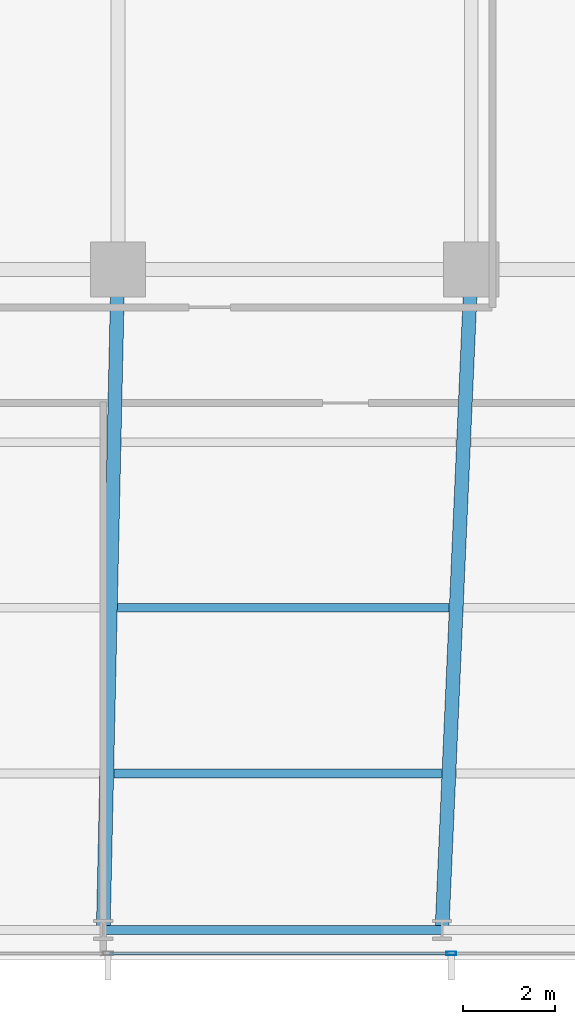
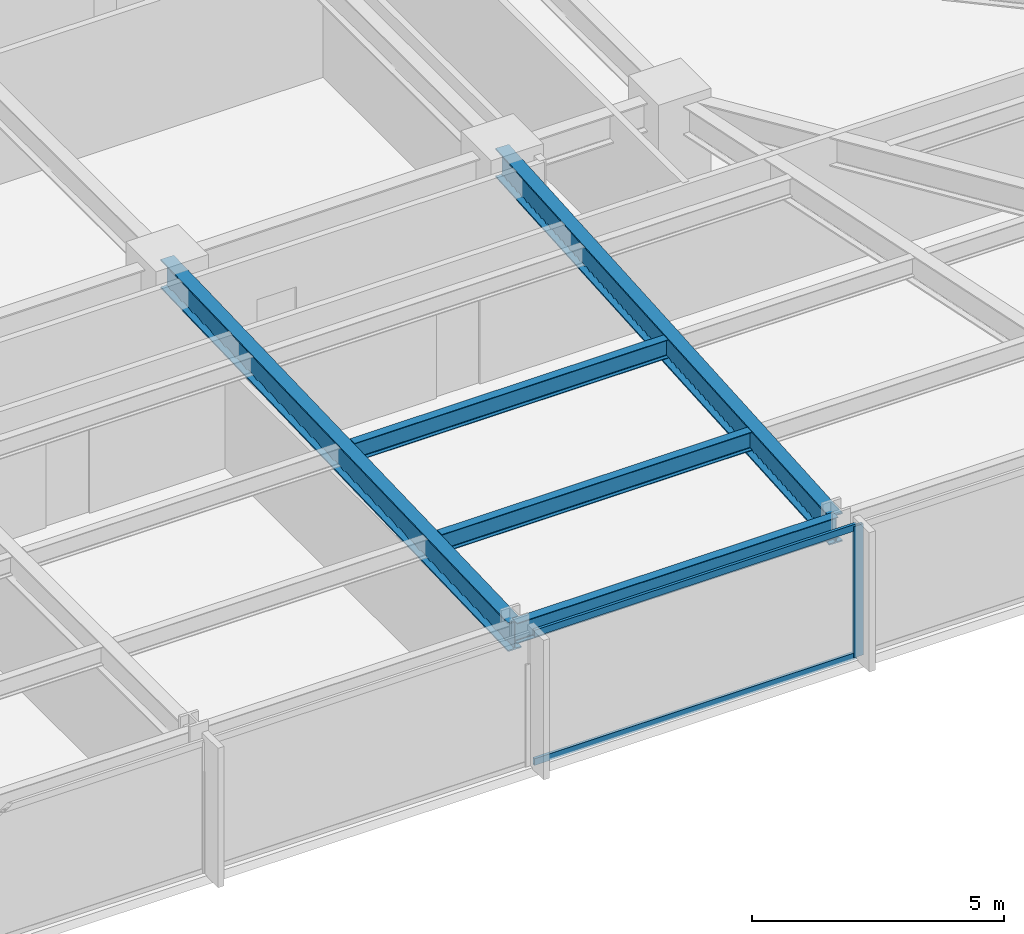
# One storey, part 12 of 32: 5 beams, 3 members, 1 element without a shape of its own.
"""IFC4 building model written with IfcOpenShell, lengths in metres."""

from ifc_helpers import new_model, si_unit, direction, frame, origin, origin_2d, place, context, subcontext, project, spatial, hollow_rectangle, i_section, extrude, material, material_profile, profile_set, type_object, element, aggregate, save


model = new_model("IFC4")

# Units and contexts
model_context = context("Model", 3, precision=1e-05, world=origin(), true_north=direction((0.0, 1.0)))
body_context = subcontext(model_context, "Body", "Model", "MODEL_VIEW")
ifc_project = project(units=[si_unit("LENGTHUNIT", "METRE"), si_unit("AREAUNIT", "SQUARE_METRE"), si_unit("VOLUMEUNIT", "CUBIC_METRE"), si_unit("PLANEANGLEUNIT", "RADIAN"), si_unit("MASSUNIT", "GRAM", prefix="KILO")], contexts=[model_context])

# Site, building, storey
site_placement = place(None, origin())
site = spatial("IfcSite", under=ifc_project, at=site_placement, CompositionType="ELEMENT")
building_placement = place(site_placement, origin())
building = spatial("IfcBuilding", under=site, at=building_placement, Name="Yelkora Congress Tower", CompositionType="ELEMENT")
storey_placement = place(building_placement, frame((0.0, 0.0, 50.800048828125)))
storey = spatial("IfcBuildingStorey", under=building, at=storey_placement, Name="L12", CompositionType="ELEMENT", Elevation=50.800048828125)

# Beams
ifc_material_1 = material(Name="Steel S355J2", Category="steel")
ifc_material_profile_1 = material_profile(ifc_material_1, i_section(OverallWidth=0.300048828125, OverallDepth=0.699951171875, WebThickness=0.01708984375, FlangeThickness=0.031982421875, FilletRadius=0.027099609375, at=origin_2d()), Name="HEB 700")
ifc_profile_set_1 = profile_set([ifc_material_profile_1], Name="Steel S355J2")
beam_type_1 = type_object("IfcBeamType", Name="BM-GIRD-HEB700", PredefinedType="BEAM", material=ifc_profile_set_1)
beam_1_placement = place(storey_placement, frame((45.762451171875, 10.85009765625, 2.829833984375), z_axis=(0.022129088136, 0.999755121746, 0.0), x_axis=(-0.999755121746, 0.022129088136, 0.0)))
element("IfcBeam", 1, at=beam_1_placement, inside=storey, type_object=beam_type_1, Name="L12 Primary Frame Girder S06", PredefinedType="BEAM", context=body_context, shape_type="SweptSolid", body=[
    extrude(i_section(OverallWidth=0.300048828125, OverallDepth=0.699951171875, WebThickness=0.01708984375, FlangeThickness=0.031982421875, FilletRadius=0.027099609375, at=origin_2d()), origin(), (0.0, 0.0, 1.0), 14.353271484375),
])
beam_2_placement = place(storey_placement, frame((53.125, 10.85009765625, 2.829833984375), z_axis=(0.044208738849, 0.999022315771, 0.0), x_axis=(-0.999022315771, 0.044208738849, 0.0)))
element("IfcBeam", 2, at=beam_2_placement, inside=storey, type_object=beam_type_1, Name="L12 Primary Frame Girder S07", PredefinedType="BEAM", context=body_context, shape_type="SweptSolid", body=[
    extrude(i_section(OverallWidth=0.300048828125, OverallDepth=0.699951171875, WebThickness=0.01708984375, FlangeThickness=0.031982421875, FilletRadius=0.027099609375, at=origin_2d()), origin(), (0.0, 0.0, 1.0), 14.364013671875),
])
ifc_material_profile_2 = material_profile(ifc_material_1, i_section(OverallWidth=0.18994140625, OverallDepth=0.449951171875, WebThickness=0.009521484375, FlangeThickness=0.0146484375, FilletRadius=0.02099609375, at=origin_2d()), Name="IPE 450")
ifc_profile_set_2 = profile_set([ifc_material_profile_2], Name="Steel S355J2")
beam_type_2 = type_object("IfcBeamType", Name="BM-JOIST-IPE450", PredefinedType="JOIST", material=ifc_profile_set_2)
beam_3_placement = place(storey_placement, frame((45.997802734375, 14.25, 2.954833984375), z_axis=(1.0, 0.0, 0.0), x_axis=(0.0, 1.0, 0.0)))
element("IfcBeam", 3, at=beam_3_placement, inside=storey, type_object=beam_type_2, Name="L12 Composite Floor Joist 6", PredefinedType="JOIST", context=body_context, shape_type="SweptSolid", body=[
    extrude(i_section(OverallWidth=0.18994140625, OverallDepth=0.449951171875, WebThickness=0.009521484375, FlangeThickness=0.0146484375, FilletRadius=0.02099609375, at=origin_2d()), origin(), (0.0, 0.0, 1.0), 7.11767578125),
])
beam_4_placement = place(storey_placement, frame((46.077392578125, 17.85009765625, 2.954833984375), z_axis=(1.0, 0.0, 0.0), x_axis=(0.0, 1.0, 0.0)))
element("IfcBeam", 4, at=beam_4_placement, inside=storey, type_object=beam_type_2, Name="L12 Composite Floor Joist 14", PredefinedType="JOIST", context=body_context, shape_type="SweptSolid", body=[
    extrude(i_section(OverallWidth=0.18994140625, OverallDepth=0.449951171875, WebThickness=0.009521484375, FlangeThickness=0.0146484375, FilletRadius=0.02099609375, at=origin_2d()), origin(), (0.0, 0.0, 1.0), 7.197509765625),
])
ifc_material_profile_3 = material_profile(ifc_material_1, i_section(OverallWidth=0.199951171875, OverallDepth=0.5, WebThickness=0.01025390625, FlangeThickness=0.01611328125, FilletRadius=0.02099609375, at=origin_2d()), Name="IPE 500")
ifc_profile_set_3 = profile_set([ifc_material_profile_3], Name="Steel S355J2")
beam_type_3 = type_object("IfcBeamType", Name="BM-SPAN-IPE500", PredefinedType="SPANDREL", material=ifc_profile_set_3)
beam_5_placement = place(storey_placement, frame((45.762451171875, 10.85009765625, 2.929931640625), z_axis=(1.0, 0.0, 0.0), x_axis=(0.0, 1.0, 0.0)))
element("IfcBeam", 5, at=beam_5_placement, inside=storey, type_object=beam_type_3, Name="L12 Perimeter Beam 7", PredefinedType="SPANDREL", context=body_context, shape_type="SweptSolid", body=[
    extrude(i_section(OverallWidth=0.199951171875, OverallDepth=0.5, WebThickness=0.01025390625, FlangeThickness=0.01611328125, FilletRadius=0.02099609375, at=origin_2d()), origin(), (0.0, 0.0, 1.0), 7.362548828125),
])

# Curtain wall, members
ifc_material_2 = material(Name="Anodised aluminium and insulated glass", Category="aluminium")
curtain_wall_type = type_object("IfcCurtainWallType", Name="CW-SYS-B1", PredefinedType="NOTDEFINED", material=ifc_material_2)
curtain_wall_placement = place(storey_placement, origin())
curtain_wall = element("IfcCurtainWall", 6, at=curtain_wall_placement, inside=storey, type_object=curtain_wall_type, Name="L12 Unitised Curtain Wall 20", PredefinedType="NOTDEFINED")
ifc_material_3 = material(Name="Anodised aluminium 6063-T6", Category="aluminium")
ifc_material_profile_4 = material_profile(ifc_material_3, hollow_rectangle(XDim=0.074951171875, YDim=0.219970703125, WallThickness=0.0048828125, at=origin_2d()), Name="ALU 75x220x5")
ifc_profile_set_4 = profile_set([ifc_material_profile_4], Name="Anodised aluminium 6063-T6")
member_type_1 = type_object("IfcMemberType", Name="MEM-ML-B1", PredefinedType="MULLION", material=ifc_profile_set_4)
member_1_placement = place(storey_placement, frame((53.330078125, 10.340087890625, 0.0), z_axis=(0.0, 0.0, 1.0), x_axis=(0.0, -1.0, 0.0)))
member_1 = element("IfcMember", 7, at=member_1_placement, type_object=member_type_1, Name="CW-B1 mullion 3", PredefinedType="MULLION", context=body_context, shape_type="SweptSolid", body=[
    extrude(hollow_rectangle(XDim=0.074951171875, YDim=0.219970703125, WallThickness=0.0048828125, at=origin_2d()), origin(), (0.0, 0.0, 1.0), 3.179931640625),
])
ifc_material_profile_5 = material_profile(ifc_material_3, hollow_rectangle(XDim=0.06494140625, YDim=0.159912109375, WallThickness=0.00390625, at=origin_2d()), Name="ALU 65x160x4")
ifc_profile_set_5 = profile_set([ifc_material_profile_5], Name="Anodised aluminium 6063-T6")
member_type_2 = type_object("IfcMemberType", Name="MEM-TR-B1", PredefinedType="USERDEFINED", material=ifc_profile_set_5)
member_2_placement = place(storey_placement, frame((53.29248046875, 10.340087890625, 0.032470703125), z_axis=(-1.0, 0.0, 0.0), x_axis=(0.0, -1.0, 0.0)))
member_2 = element("IfcMember", 8, at=member_2_placement, type_object=member_type_2, Name="CW-B1 transom 3.1", ObjectType="TRANSOM", PredefinedType="USERDEFINED", context=body_context, shape_type="SweptSolid", body=[
    extrude(hollow_rectangle(XDim=0.06494140625, YDim=0.159912109375, WallThickness=0.00390625, at=origin_2d()), origin(), (0.0, 0.0, 1.0), 7.389892578125),
])
member_3_placement = place(storey_placement, frame((53.29248046875, 10.340087890625, 3.1474609375), z_axis=(-1.0, 0.0, 0.0), x_axis=(0.0, -1.0, 0.0)))
member_3 = element("IfcMember", 9, at=member_3_placement, type_object=member_type_2, Name="CW-B1 transom 3.2", ObjectType="TRANSOM", PredefinedType="USERDEFINED", context=body_context, shape_type="SweptSolid", body=[
    extrude(hollow_rectangle(XDim=0.06494140625, YDim=0.159912109375, WallThickness=0.00390625, at=origin_2d()), origin(), (0.0, 0.0, 1.0), 7.389892578125),
])
aggregate(curtain_wall, [member_1, member_2, member_3])

save(model, "model.ifc")
